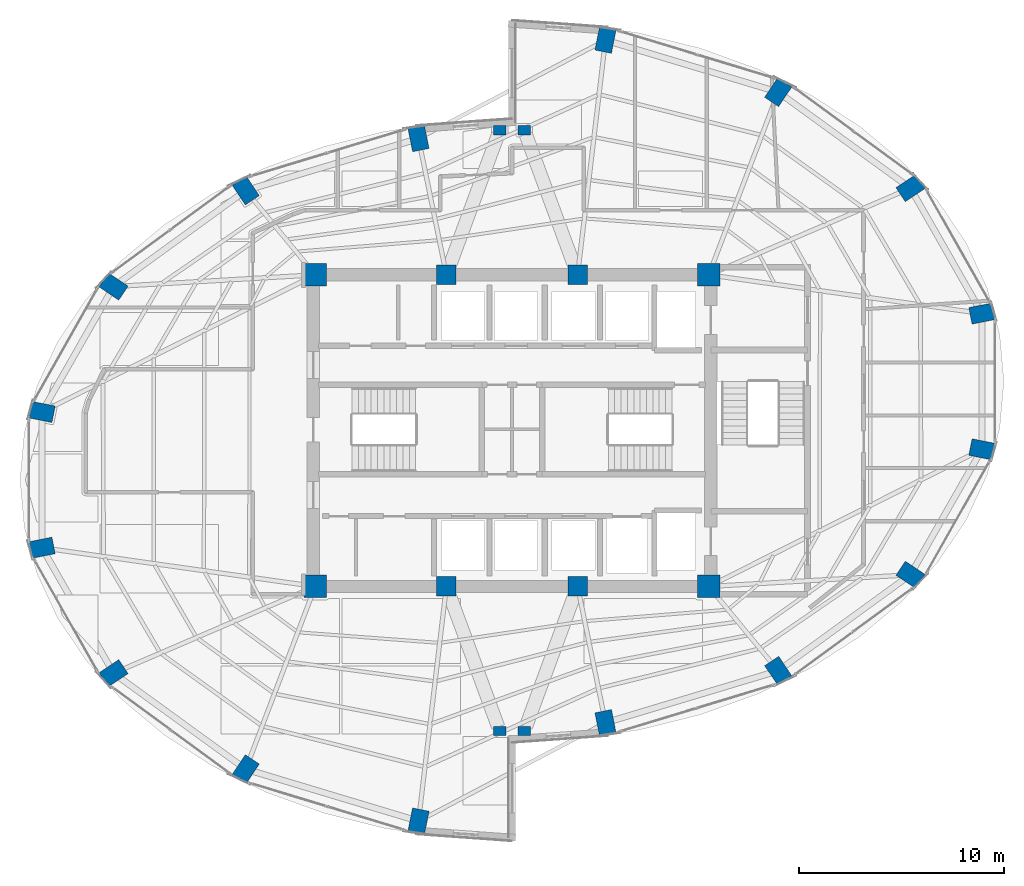
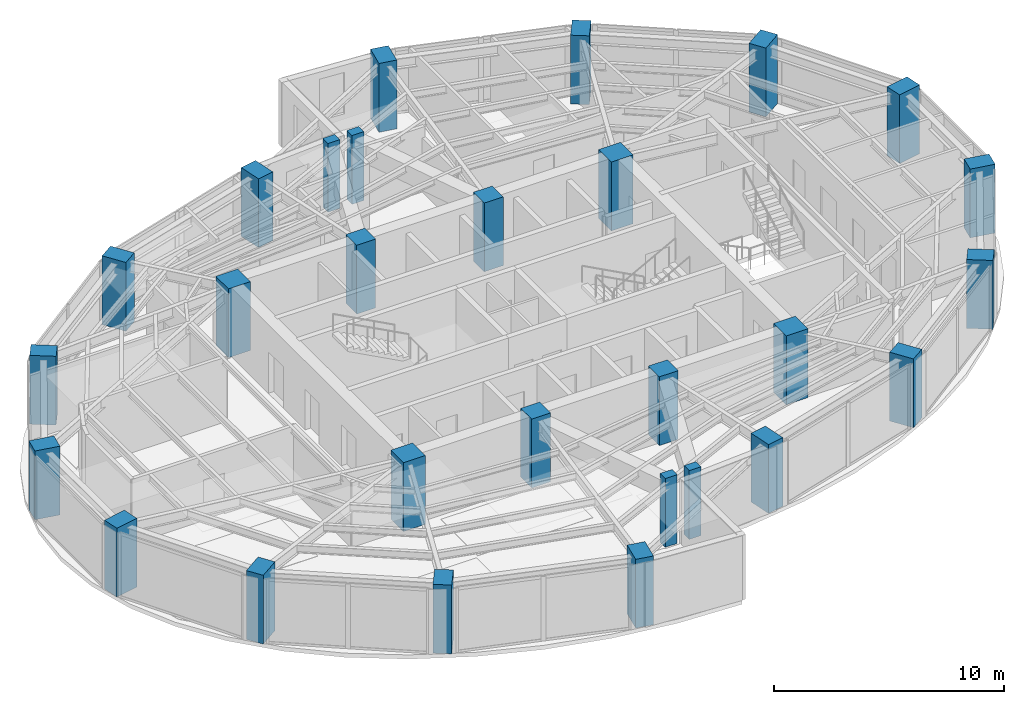
# One storey, part 1 of 20: 28 columns.
"""IFC4 building model written with IfcOpenShell, lengths in metres."""

from ifc_helpers import new_model, si_unit, direction, frame, origin, origin_2d, place, context, subcontext, project, spatial, rectangle, extrude, material, material_profile, profile_set, type_object, element, save


model = new_model("IFC4")

# Units and contexts
model_context = context("Model", 3, precision=1e-05, world=origin(), true_north=direction((0.0, 1.0)))
body_context = subcontext(model_context, "Body", "Model", "MODEL_VIEW")
ifc_project = project(units=[si_unit("LENGTHUNIT", "METRE"), si_unit("AREAUNIT", "SQUARE_METRE"), si_unit("VOLUMEUNIT", "CUBIC_METRE"), si_unit("PLANEANGLEUNIT", "RADIAN"), si_unit("MASSUNIT", "GRAM", prefix="KILO")], contexts=[model_context])

# Site, building, storey
site_placement = place(None, origin())
site = spatial("IfcSite", under=ifc_project, at=site_placement, CompositionType="ELEMENT")
building_placement = place(site_placement, origin())
building = spatial("IfcBuilding", under=site, at=building_placement, Name="Lazwardi Medical Tower", CompositionType="ELEMENT")
storey_placement = place(building_placement, frame((0.0, 0.0, 160.176025390625)))
storey = spatial("IfcBuildingStorey", under=building, at=storey_placement, Name="L41", CompositionType="ELEMENT", Elevation=160.176025390625)

# Columns
ifc_material_1 = material(Name="Concrete C80/95", Category="concrete")
ifc_material_profile_1 = material_profile(ifc_material_1, rectangle(XDim=1.10009765625, YDim=1.10009765625, at=origin_2d()), Name="RC 1100x1100")
ifc_profile_set_1 = profile_set([ifc_material_profile_1], Name="Concrete C80/95")
column_type_1 = type_object("IfcColumnType", Name="COL-CC-L", PredefinedType="COLUMN", material=ifc_profile_set_1)
for number, where, z_axis, x_axis, name in (
    (1, (26.39990234375, 20.39990234375, 0.0), (0.0, 0.0, 1.0), (1.0, 0.0, 0.0), "Core column CC-01 CC1 L41"),
    (2, (45.60009765625, 20.39990234375, 0.0), (0.0, 0.0, 1.0), (1.0, 0.0, 0.0), "Core column CC-01 CC4 L41"),
    (3, (45.60009765625, 35.60009765625, 0.0), (0.0, 0.0, 1.0), (1.0, 0.0, 0.0), "Core column CC-01 CC5 L41"),
    (4, (26.39990234375, 35.60009765625, 0.0), (0.0, 0.0, 1.0), (1.0, 0.0, 0.0), "Core column CC-01 CC8 L41"),
):
    element("IfcColumn", number, at=place(storey_placement, frame(where, z_axis=z_axis, x_axis=x_axis)), inside=storey, type_object=column_type_1, Name=name, PredefinedType="COLUMN", context=body_context, shape_type="SweptSolid", body=[
        extrude(rectangle(XDim=1.10009765625, YDim=1.10009765625, at=origin_2d()), origin(), (0.0, 0.0, 1.0), 3.64794921875),
    ])
ifc_material_2 = material(Name="Concrete C70/85", Category="concrete")
ifc_material_profile_2 = material_profile(ifc_material_2, rectangle(XDim=0.949951171875, YDim=0.949951171875, at=origin_2d()), Name="RC 950x950")
ifc_profile_set_2 = profile_set([ifc_material_profile_2], Name="Concrete C70/85")
column_type_2 = type_object("IfcColumnType", Name="COL-CC-M", PredefinedType="COLUMN", material=ifc_profile_set_2)
for number, where, z_axis, x_axis, name in (
    (5, (32.800048828125, 20.39990234375, 0.0), (0.0, 0.0, 1.0), (1.0, 0.0, 0.0), "Core column CC-02 CC2 L41"),
    (6, (39.199951171875, 20.39990234375, 0.0), (0.0, 0.0, 1.0), (1.0, 0.0, 0.0), "Core column CC-02 CC3 L41"),
    (7, (39.199951171875, 35.60009765625, 0.0), (0.0, 0.0, 1.0), (1.0, 0.0, 0.0), "Core column CC-02 CC6 L41"),
    (8, (32.800048828125, 35.60009765625, 0.0), (0.0, 0.0, 1.0), (1.0, 0.0, 0.0), "Core column CC-02 CC7 L41"),
):
    element("IfcColumn", number, at=place(storey_placement, frame(where, z_axis=z_axis, x_axis=x_axis)), inside=storey, type_object=column_type_2, Name=name, PredefinedType="COLUMN", context=body_context, shape_type="SweptSolid", body=[
        extrude(rectangle(XDim=0.949951171875, YDim=0.949951171875, at=origin_2d()), origin(), (0.0, 0.0, 1.0), 3.64794921875),
    ])
ifc_material_3 = material(Name="Concrete C60/75", Category="concrete")
ifc_material_profile_3 = material_profile(ifc_material_3, rectangle(XDim=1.14990234375, YDim=0.820068359375, at=origin_2d()), Name="CFT-RECT 1150x820")
ifc_profile_set_3 = profile_set([ifc_material_profile_3], Name="Concrete C60/75")
column_type_3 = type_object("IfcColumnType", Name="COL-MC-Z3", PredefinedType="COLUMN", material=ifc_profile_set_3)
for number, where, z_axis, x_axis, name in (
    (9, (40.560302734375, 13.751220703125, 0.0), (0.0, 0.0, 1.0), (0.195090322016, -0.980785280403, 0.0), "Mega column MC-05 M01 L41"),
    (10, (48.986572265625, 16.285888671875, 0.0), (0.0, 0.0, 1.0), (0.55557023302, -0.831469612303, 0.0), "Mega column MC-05 M02 L41"),
    (11, (55.435546875, 20.96923828125, 0.0), (0.0, 0.0, 1.0), (0.831469612303, -0.55557023302, 0.0), "Mega column MC-05 M03 L41"),
    (12, (58.92578125, 27.08837890625, 0.0), (0.0, 0.0, 1.0), (0.980785280403, -0.195090322016, 0.0), "Mega column MC-05 M04 L41"),
    (13, (58.92578125, 33.711669921875, 0.0), (0.0, 0.0, 1.0), (0.980785280403, 0.195090322016, 0.0), "Mega column MC-05 M05 L41"),
    (14, (55.435546875, 39.830810546875, 0.0), (0.0, 0.0, 1.0), (0.831469612303, 0.55557023302, 0.0), "Mega column MC-05 M06 L41"),
    (15, (48.986572265625, 44.51416015625, 0.0), (0.0, 0.0, 1.0), (0.55557023302, 0.831469612303, 0.0), "Mega column MC-05 M07 L41"),
    (16, (40.560302734375, 47.048828125, 0.0), (0.0, 0.0, 1.0), (0.195090322016, 0.980785280403, 0.0), "Mega column MC-05 M08 L41"),
    (17, (31.439697265625, 42.248779296875, 0.0), (0.0, 0.0, 1.0), (-0.195090322016, 0.980785280403, 0.0), "Mega column MC-05 M09 L41"),
    (18, (23.013427734375, 39.714111328125, 0.0), (0.0, 0.0, 1.0), (-0.55557023302, 0.831469612303, 0.0), "Mega column MC-05 M10 L41"),
    (19, (16.564453125, 35.03076171875, 0.0), (0.0, 0.0, 1.0), (-0.831469612303, 0.55557023302, 0.0), "Mega column MC-05 M11 L41"),
    (20, (13.07421875, 28.91162109375, 0.0), (0.0, 0.0, 1.0), (-0.980785280403, 0.195090322016, 0.0), "Mega column MC-05 M12 L41"),
    (21, (13.07421875, 22.288330078125, 0.0), (0.0, 0.0, 1.0), (-0.980785280403, -0.195090322016, 0.0), "Mega column MC-05 M13 L41"),
    (22, (16.564453125, 16.169189453125, 0.0), (0.0, 0.0, 1.0), (-0.831469612303, -0.55557023302, 0.0), "Mega column MC-05 M14 L41"),
    (23, (23.013427734375, 11.48583984375, 0.0), (0.0, 0.0, 1.0), (-0.55557023302, -0.831469612303, 0.0), "Mega column MC-05 M15 L41"),
    (24, (31.439697265625, 8.951171875, 0.0), (0.0, 0.0, 1.0), (-0.195090322016, -0.980785280403, 0.0), "Mega column MC-05 M16 L41"),
):
    element("IfcColumn", number, at=place(storey_placement, frame(where, z_axis=z_axis, x_axis=x_axis)), inside=storey, type_object=column_type_3, Name=name, PredefinedType="COLUMN", context=body_context, shape_type="SweptSolid", body=[
        extrude(rectangle(XDim=1.14990234375, YDim=0.820068359375, at=origin_2d()), origin(), (0.0, 0.0, 1.0), 3.64794921875),
    ])
ifc_material_profile_4 = material_profile(ifc_material_3, rectangle(XDim=0.60009765625, YDim=0.449951171875, at=origin_2d()), Name="RC 600x450")
ifc_profile_set_4 = profile_set([ifc_material_profile_4], Name="Concrete C60/75")
column_type_4 = type_object("IfcColumnType", Name="COL-PL-IW", PredefinedType="PILASTER", material=ifc_profile_set_4)
for number, where, z_axis, x_axis, name in (
    (25, (35.39990234375, 42.64990234375, 0.0), (0.0, 0.0, 1.0), (1.0, 0.0, 0.0), "Iwan pilaster column PL-C1 PL1 L41"),
    (26, (36.60009765625, 42.64990234375, 0.0), (0.0, 0.0, 1.0), (1.0, 0.0, 0.0), "Iwan pilaster column PL-C1 PL2 L41"),
    (27, (35.39990234375, 13.35009765625, 0.0), (0.0, 0.0, 1.0), (1.0, 0.0, 0.0), "Iwan pilaster column PL-C1 PL3 L41"),
    (28, (36.60009765625, 13.35009765625, 0.0), (0.0, 0.0, 1.0), (1.0, 0.0, 0.0), "Iwan pilaster column PL-C1 PL4 L41"),
):
    element("IfcColumn", number, at=place(storey_placement, frame(where, z_axis=z_axis, x_axis=x_axis)), inside=storey, type_object=column_type_4, Name=name, PredefinedType="PILASTER", context=body_context, shape_type="SweptSolid", body=[
        extrude(rectangle(XDim=0.60009765625, YDim=0.449951171875, at=origin_2d()), origin(), (0.0, 0.0, 1.0), 3.64794921875),
    ])

save(model, "model.ifc")
